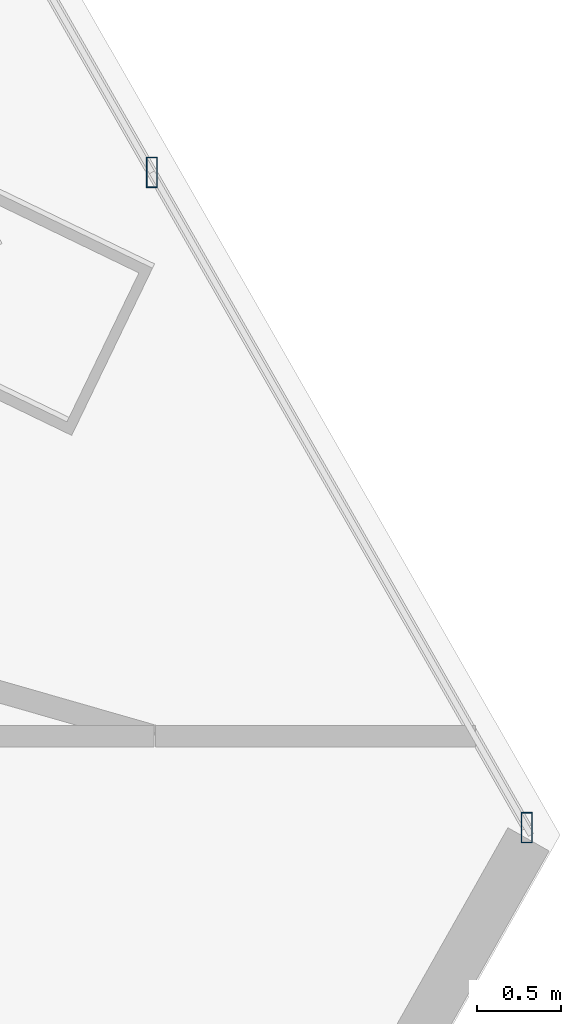
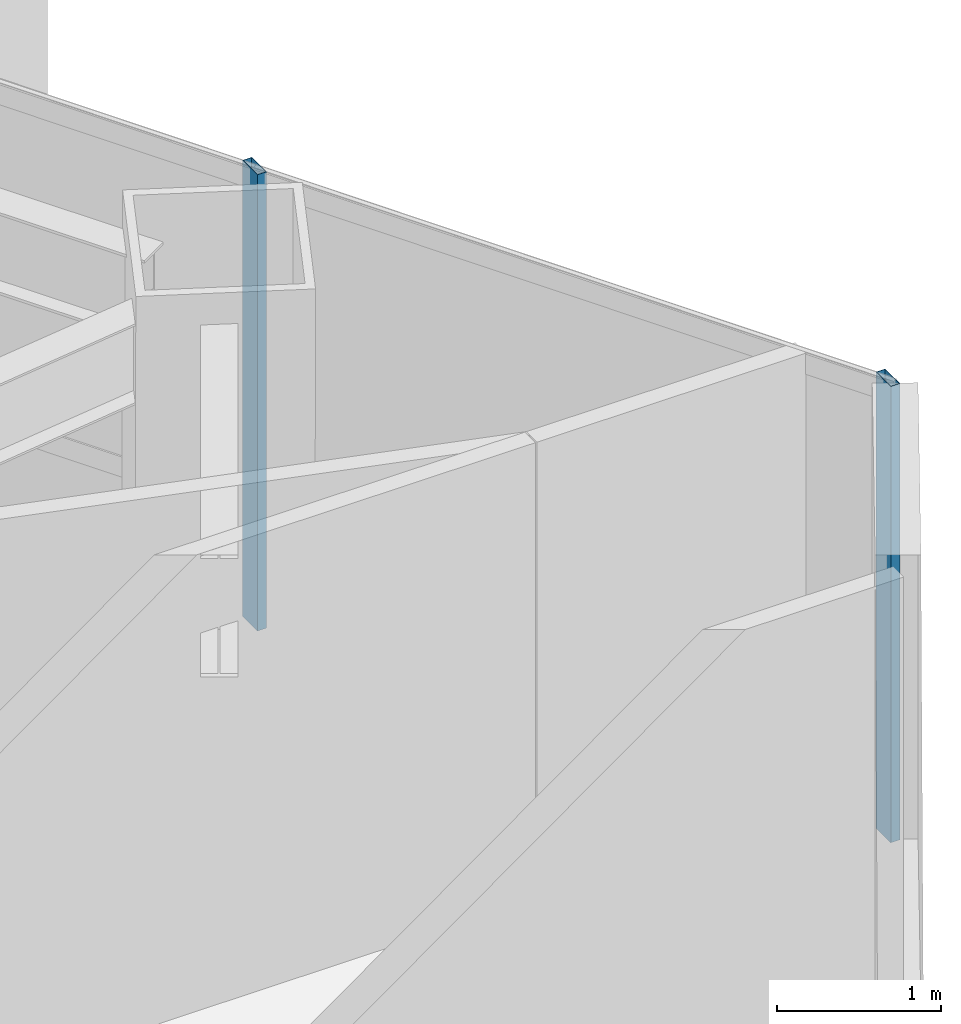
# One storey, part 19 of 35: 2 members, 1 element without a shape of its own.
"""IFC4 building model written with IfcOpenShell, lengths in metres."""

from ifc_helpers import new_model, si_unit, direction, frame, origin, origin_2d, place, context, subcontext, project, spatial, hollow_rectangle, extrude, source, transform, mapped, material, material_profile, profile_set, type_object, type_shapes, element, aggregate, save


model = new_model("IFC4")

# Units and contexts
model_context = context("Model", 3, precision=1e-05, world=origin(), true_north=direction((0.0, 1.0)))
body_context = subcontext(model_context, "Body", "Model", "MODEL_VIEW")
ifc_project = project(units=[si_unit("LENGTHUNIT", "METRE"), si_unit("AREAUNIT", "SQUARE_METRE"), si_unit("VOLUMEUNIT", "CUBIC_METRE"), si_unit("PLANEANGLEUNIT", "RADIAN"), si_unit("MASSUNIT", "GRAM", prefix="KILO")], contexts=[model_context])

# Site, building, storey
site_placement = place(None, origin())
site = spatial("IfcSite", under=ifc_project, at=site_placement, CompositionType="ELEMENT")
building_placement = place(site_placement, origin())
building = spatial("IfcBuilding", under=site, at=building_placement, Name="Caelisora Broadcast Tower", CompositionType="ELEMENT")
storey_placement = place(building_placement, frame((0.0, 0.0, 87.14990234375)))
storey = spatial("IfcBuildingStorey", under=building, at=storey_placement, Name="L22", CompositionType="ELEMENT", Elevation=87.14990234375)

# Curtain wall, members
ifc_material_1 = material(Name="Unitised Aluminium and Low-E Glass Curtain Wall", Category="glass")
curtain_wall_type = type_object("IfcCurtainWallType", Name="CW-Z2", PredefinedType="NOTDEFINED", material=ifc_material_1)
curtain_wall_placement = place(storey_placement, origin())
curtain_wall = element("IfcCurtainWall", 1, at=curtain_wall_placement, inside=storey, type_object=curtain_wall_type, Name="L22 curtain wall CW-Z2", PredefinedType="NOTDEFINED")
ifc_material_2 = material(Name="Aluminium 6063-T6 Anodised Terracotta Bronze", Category="aluminium")
ifc_material_profile = material_profile(ifc_material_2, hollow_rectangle(XDim=0.06494140625, YDim=0.179931640625, WallThickness=0.00341796875, at=origin_2d()), Name="Aluminium 6063-T6 Anodised Terracotta Bronze")
ifc_profile_set = profile_set([ifc_material_profile], Name="Aluminium 6063-T6 Anodised Terracotta Bronze")
member_type = type_object("IfcMemberType", Name="CWM-02", PredefinedType="MULLION", material=ifc_profile_set)
shared_shape = source(origin(), body_context, "Body", "SweptSolid", [
    extrude(hollow_rectangle(XDim=0.06494140625, YDim=0.179931640625, WallThickness=0.00341796875, at=origin_2d()), origin(), (0.0, 0.0, 1.0), 3.400146484375),
])
type_shapes(member_type, [shared_shape])
member_1_placement = place(storey_placement, frame((62.04248046875, 20.442138671875, 0.0), z_axis=(0.0, 0.0, 1.0), x_axis=(1.0, 0.0, 0.0)))
member_1 = element("IfcMember", 2, at=member_1_placement, type_object=member_type, Name="L22-CW-B03 mullion #2", PredefinedType="MULLION", context=body_context, shape_type="MappedRepresentation", body=[
    mapped(shared_shape, transform((0.0, 0.0, 0.0), scale=1.0)),
])
member_2_placement = place(storey_placement, frame((64.26416015625, 16.558349609375, 0.0), z_axis=(0.0, 0.0, 1.0), x_axis=(1.0, 0.0, 0.0)))
member_2 = element("IfcMember", 3, at=member_2_placement, type_object=member_type, Name="L22-CW-B03 mullion #3", PredefinedType="MULLION", context=body_context, shape_type="MappedRepresentation", body=[
    mapped(shared_shape, transform((0.0, 0.0, 0.0), scale=1.0)),
])
aggregate(curtain_wall, [member_1, member_2])

save(model, "model.ifc")
